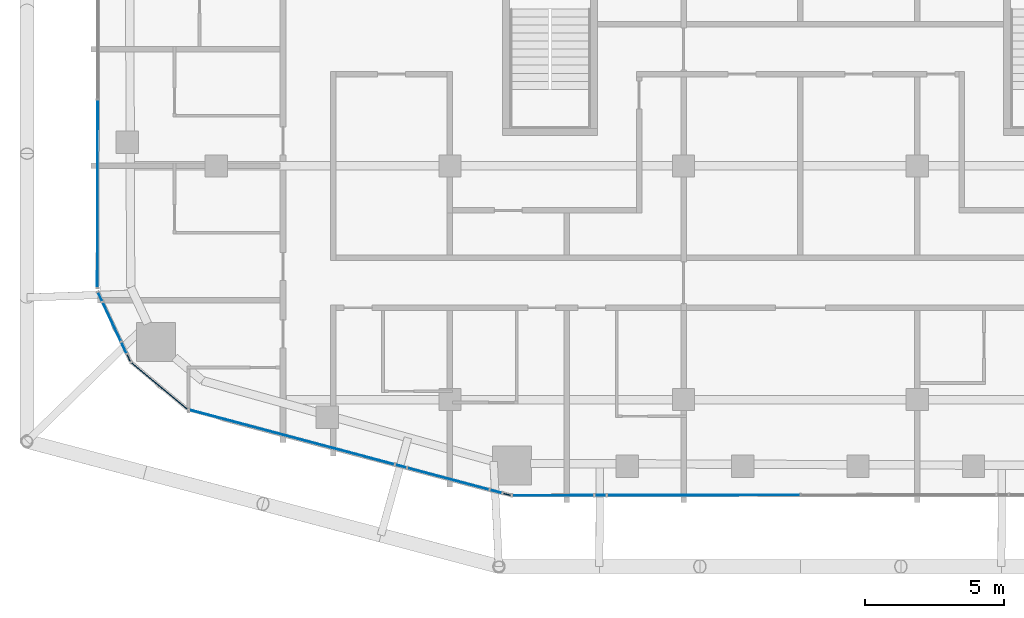
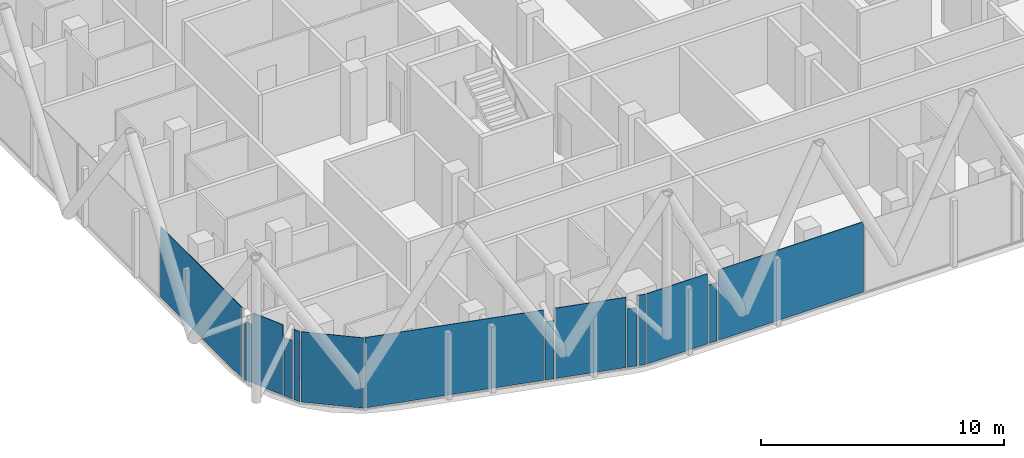
# One storey, part 14 of 31: 14 plates, 14 elements without a shape of their own.
"""IFC4 building model written with IfcOpenShell, lengths in metres."""

from ifc_helpers import new_model, si_unit, direction, frame, origin, origin_2d, place, context, subcontext, project, spatial, rectangle, extrude, material, layer, layer_set, type_object, element, aggregate, save


model = new_model("IFC4")

# Units and contexts
model_context = context("Model", 3, precision=1e-05, world=origin(), true_north=direction((0.0, 1.0)))
body_context = subcontext(model_context, "Body", "Model", "MODEL_VIEW")
ifc_project = project(units=[si_unit("LENGTHUNIT", "METRE"), si_unit("AREAUNIT", "SQUARE_METRE"), si_unit("VOLUMEUNIT", "CUBIC_METRE"), si_unit("PLANEANGLEUNIT", "RADIAN"), si_unit("MASSUNIT", "GRAM", prefix="KILO")], contexts=[model_context])

# Site, building, storey
site_placement = place(None, origin())
site = spatial("IfcSite", under=ifc_project, at=site_placement, CompositionType="ELEMENT")
building_placement = place(site_placement, origin())
building = spatial("IfcBuilding", under=site, at=building_placement, Name="Marenta Gate Hotel Tower", CompositionType="ELEMENT")
storey_placement = place(building_placement, frame((0.0, 0.0, 191.300048828125)))
storey = spatial("IfcBuildingStorey", under=building, at=storey_placement, Name="L43", CompositionType="ELEMENT", Elevation=191.300048828125)

# Curtain wall, plate
ifc_material_1 = material(Name="Tinted insulated glass in bronze anodised frame", Category="glass")
ifc_layer_1 = layer(ifc_material_1, 0.1201171875)
ifc_layer_set_1 = layer_set([ifc_layer_1], Name="Tinted insulated glass in bronze anodised frame")
curtain_wall_type = type_object("IfcCurtainWallType", Name="Tower unitised curtain wall CW1", PredefinedType="NOTDEFINED", material=ifc_layer_set_1)
curtain_wall_1_placement = place(storey_placement, origin())
curtain_wall_1 = element("IfcCurtainWall", 1, at=curtain_wall_1_placement, inside=storey, type_object=curtain_wall_type, Name="CW1 run G08", PredefinedType="NOTDEFINED")
ifc_material_2 = material(Name="Tinted insulated glass", Category="glass")
ifc_layer_2 = layer(ifc_material_2, 0.028076171875)
ifc_layer_set_2 = layer_set([ifc_layer_2], Name="Tinted insulated glass")
plate_type = type_object("IfcPlateType", Name="Glass panel CW1 28 mm tinted insulated unit", PredefinedType="CURTAIN_PANEL", material=ifc_layer_set_2)
plate_1_placement = place(storey_placement, frame((-25.267578125, -17.800537109375, 0.059814453125), z_axis=(0.0, 0.0, 1.0), x_axis=(-0.001564651623, -0.999998775932, 0.0)))
plate_1 = element("IfcPlate", 2, at=plate_1_placement, type_object=plate_type, Name="CW1 panel 3.1", PredefinedType="CURTAIN_PANEL", context=body_context, shape_type="SweptSolid", body=[
    extrude(rectangle(XDim=6.7060546875, YDim=0.028076171875, at=origin_2d()), origin(), (0.0, 0.0, 1.0), 3.5400390625),
])
aggregate(curtain_wall_1, [plate_1])

curtain_wall_2_placement = place(storey_placement, origin())
curtain_wall_2 = element("IfcCurtainWall", 3, at=curtain_wall_2_placement, inside=storey, type_object=curtain_wall_type, Name="CW1 run G09", PredefinedType="NOTDEFINED")
plate_2_placement = place(storey_placement, frame((-25.174560546875, -21.50439453125, 0.06005859375), z_axis=(0.0, 0.0, 1.0), x_axis=(0.423345141478, -0.905968482447, 0.0)))
plate_2 = element("IfcPlate", 4, at=plate_2_placement, type_object=plate_type, Name="CW1 panel 1.1", PredefinedType="CURTAIN_PANEL", context=body_context, shape_type="SweptSolid", body=[
    extrude(rectangle(XDim=0.344970703125, YDim=0.028076171875, at=origin_2d()), origin(), (0.0, 0.0, 1.0), 2.9404296875),
])
aggregate(curtain_wall_2, [plate_2])

curtain_wall_3_placement = place(storey_placement, origin())
curtain_wall_3 = element("IfcCurtainWall", 5, at=curtain_wall_3_placement, inside=storey, type_object=curtain_wall_type, Name="CW1 run G10", PredefinedType="NOTDEFINED")
plate_3_placement = place(storey_placement, frame((-24.75390625, -22.40478515625, 0.059814453125), z_axis=(0.0, 0.0, 1.0), x_axis=(0.423328093078, -0.905976448707, 0.0)))
plate_3 = element("IfcPlate", 6, at=plate_3_placement, type_object=plate_type, Name="CW1 panel 1.1", PredefinedType="CURTAIN_PANEL", context=body_context, shape_type="SweptSolid", body=[
    extrude(rectangle(XDim=1.52294921875, YDim=0.028076171875, at=origin_2d()), origin(), (0.0, 0.0, 1.0), 3.5400390625),
])
aggregate(curtain_wall_3, [plate_3])

curtain_wall_4_placement = place(storey_placement, origin())
curtain_wall_4 = element("IfcCurtainWall", 7, at=curtain_wall_4_placement, inside=storey, type_object=curtain_wall_type, Name="CW1 run G11", PredefinedType="NOTDEFINED")
plate_4_placement = place(storey_placement, frame((-24.317138671875, -23.33935546875, 0.06005859375), z_axis=(0.0, 0.0, 1.0), x_axis=(0.423387289241, -0.905948786251, 0.0)))
plate_4 = element("IfcPlate", 8, at=plate_4_placement, type_object=plate_type, Name="CW1 panel 1.1", PredefinedType="CURTAIN_PANEL", context=body_context, shape_type="SweptSolid", body=[
    extrude(rectangle(XDim=0.419921875, YDim=0.028076171875, at=origin_2d()), origin(), (0.0, 0.0, 1.0), 2.9404296875),
])
aggregate(curtain_wall_4, [plate_4])

curtain_wall_5_placement = place(storey_placement, origin())
curtain_wall_5 = element("IfcCurtainWall", 9, at=curtain_wall_5_placement, inside=storey, type_object=curtain_wall_type, Name="CW1 run G12", PredefinedType="NOTDEFINED")
plate_5_placement = place(storey_placement, frame((-24.142822265625, -23.71240234375, 0.059814453125), z_axis=(0.0, 0.0, 1.0), x_axis=(0.423299800084, -0.905989668401, 0.0)))
plate_5 = element("IfcPlate", 10, at=plate_5_placement, type_object=plate_type, Name="CW1 panel 1.1", PredefinedType="CURTAIN_PANEL", context=body_context, shape_type="SweptSolid", body=[
    extrude(rectangle(XDim=0.283447265625, YDim=0.028076171875, at=origin_2d()), origin(), (0.0, 0.0, 1.0), 3.5400390625),
])
aggregate(curtain_wall_5, [plate_5])

curtain_wall_6_placement = place(storey_placement, origin())
curtain_wall_6 = element("IfcCurtainWall", 11, at=curtain_wall_6_placement, inside=storey, type_object=curtain_wall_type, Name="CW1 run G13", PredefinedType="NOTDEFINED")
plate_6_placement = place(storey_placement, frame((-23.0361328125, -24.716064453125, 0.059814453125), z_axis=(0.0, 0.0, 1.0), x_axis=(0.767102345594, -0.641524739495, 0.0)))
plate_6 = element("IfcPlate", 12, at=plate_6_placement, type_object=plate_type, Name="CW1 panel 1.1", PredefinedType="CURTAIN_PANEL", context=body_context, shape_type="SweptSolid", body=[
    extrude(rectangle(XDim=2.609375, YDim=0.028076171875, at=origin_2d()), origin(), (0.0, 0.0, 1.0), 3.5400390625),
])
aggregate(curtain_wall_6, [plate_6])

curtain_wall_7_placement = place(storey_placement, origin())
curtain_wall_7 = element("IfcCurtainWall", 13, at=curtain_wall_7_placement, inside=storey, type_object=curtain_wall_type, Name="CW1 run G14", PredefinedType="NOTDEFINED")
plate_7_placement = place(storey_placement, frame((-18.292724609375, -26.548828125, 0.059814453125), z_axis=(0.0, 0.0, 1.0), x_axis=(0.966375170847, -0.257136207427, 0.0)))
plate_7 = element("IfcPlate", 14, at=plate_7_placement, type_object=plate_type, Name="CW1 panel 1.1", PredefinedType="CURTAIN_PANEL", context=body_context, shape_type="SweptSolid", body=[
    extrude(rectangle(XDim=7.62548828125, YDim=0.028076171875, at=origin_2d()), origin(), (0.0, 0.0, 1.0), 3.5400390625),
])
aggregate(curtain_wall_7, [plate_7])

curtain_wall_8_placement = place(storey_placement, origin())
curtain_wall_8 = element("IfcCurtainWall", 15, at=curtain_wall_8_placement, inside=storey, type_object=curtain_wall_type, Name="CW1 run G15", PredefinedType="NOTDEFINED")
plate_8_placement = place(storey_placement, frame((-14.3603515625, -27.59521484375, 0.06005859375), z_axis=(0.0, 0.0, 1.0), x_axis=(0.966370359942, -0.257154287199, 0.0)))
plate_8 = element("IfcPlate", 16, at=plate_8_placement, type_object=plate_type, Name="CW1 panel 1.1", PredefinedType="CURTAIN_PANEL", context=body_context, shape_type="SweptSolid", body=[
    extrude(rectangle(XDim=0.39306640625, YDim=0.028076171875, at=origin_2d()), origin(), (0.0, 0.0, 1.0), 2.9404296875),
])
aggregate(curtain_wall_8, [plate_8])

curtain_wall_9_placement = place(storey_placement, origin())
curtain_wall_9 = element("IfcCurtainWall", 17, at=curtain_wall_9_placement, inside=storey, type_object=curtain_wall_type, Name="CW1 run G16", PredefinedType="NOTDEFINED")
plate_9_placement = place(storey_placement, frame((-12.658203125, -28.048095703125, 0.059814453125), z_axis=(0.0, 0.0, 1.0), x_axis=(0.96638022581, -0.257117208999, 0.0)))
plate_9 = element("IfcPlate", 18, at=plate_9_placement, type_object=plate_type, Name="CW1 panel 1.1", PredefinedType="CURTAIN_PANEL", context=body_context, shape_type="SweptSolid", body=[
    extrude(rectangle(XDim=3.009765625, YDim=0.028076171875, at=origin_2d()), origin(), (0.0, 0.0, 1.0), 3.5400390625),
])
aggregate(curtain_wall_9, [plate_9])

curtain_wall_10_placement = place(storey_placement, origin())
curtain_wall_10 = element("IfcCurtainWall", 19, at=curtain_wall_10_placement, inside=storey, type_object=curtain_wall_type, Name="CW1 run G17", PredefinedType="NOTDEFINED")
plate_10_placement = place(storey_placement, frame((-10.945068359375, -28.50390625, 0.06005859375), z_axis=(0.0, 0.0, 1.0), x_axis=(0.966384808868, -0.257099982864, 0.0)))
plate_10 = element("IfcPlate", 20, at=plate_10_placement, type_object=plate_type, Name="CW1 panel 1.1", PredefinedType="CURTAIN_PANEL", context=body_context, shape_type="SweptSolid", body=[
    extrude(rectangle(XDim=0.415771484375, YDim=0.028076171875, at=origin_2d()), origin(), (0.0, 0.0, 1.0), 2.9404296875),
])
aggregate(curtain_wall_10, [plate_10])

curtain_wall_11_placement = place(storey_placement, origin())
curtain_wall_11 = element("IfcCurtainWall", 21, at=curtain_wall_11_placement, inside=storey, type_object=curtain_wall_type, Name="CW1 run G18", PredefinedType="NOTDEFINED")
plate_11_placement = place(storey_placement, frame((-10.546142578125, -28.610107421875, 0.059814453125), z_axis=(0.0, 0.0, 1.0), x_axis=(0.966296560535, -0.257431460974, 0.0)))
plate_11 = element("IfcPlate", 22, at=plate_11_placement, type_object=plate_type, Name="CW1 panel 1.1", PredefinedType="CURTAIN_PANEL", context=body_context, shape_type="SweptSolid", body=[
    extrude(rectangle(XDim=0.2900390625, YDim=0.028076171875, at=origin_2d()), origin(), (0.0, 0.0, 1.0), 3.5400390625),
])
aggregate(curtain_wall_11, [plate_11])

curtain_wall_12_placement = place(storey_placement, origin())
curtain_wall_12 = element("IfcCurtainWall", 23, at=curtain_wall_12_placement, inside=storey, type_object=curtain_wall_type, Name="CW1 run G19", PredefinedType="NOTDEFINED")
plate_12_placement = place(storey_placement, frame((-8.894287109375, -28.64501953125, 0.059814453125), z_axis=(0.0, 0.0, 1.0), x_axis=(0.999998632869, 0.001653559645, 0.0)))
plate_12 = element("IfcPlate", 24, at=plate_12_placement, type_object=plate_type, Name="CW1 panel 1.1", PredefinedType="CURTAIN_PANEL", context=body_context, shape_type="SweptSolid", body=[
    extrude(rectangle(XDim=2.9033203125, YDim=0.028076171875, at=origin_2d()), origin(), (0.0, 0.0, 1.0), 3.5400390625),
])
aggregate(curtain_wall_12, [plate_12])

curtain_wall_13_placement = place(storey_placement, origin())
curtain_wall_13 = element("IfcCurtainWall", 25, at=curtain_wall_13_placement, inside=storey, type_object=curtain_wall_type, Name="CW1 run G20", PredefinedType="NOTDEFINED")
plate_13_placement = place(storey_placement, frame((-7.186279296875, -28.64208984375, 0.06005859375), z_axis=(0.0, 0.0, 1.0), x_axis=(0.999998440618, 0.001766001654, 0.0)))
plate_13 = element("IfcPlate", 26, at=plate_13_placement, type_object=plate_type, Name="CW1 panel 1.1", PredefinedType="CURTAIN_PANEL", context=body_context, shape_type="SweptSolid", body=[
    extrude(rectangle(XDim=0.39306640625, YDim=0.028076171875, at=origin_2d()), origin(), (0.0, 0.0, 1.0), 2.9404296875),
])
aggregate(curtain_wall_13, [plate_13])

curtain_wall_14_placement = place(storey_placement, origin())
curtain_wall_14 = element("IfcCurtainWall", 27, at=curtain_wall_14_placement, inside=storey, type_object=curtain_wall_type, Name="CW1 run G21", PredefinedType="NOTDEFINED")
plate_14_placement = place(storey_placement, frame((-3.474853515625, -28.635986328125, 0.059814453125), z_axis=(0.0, 0.0, 1.0), x_axis=(0.99999866205, 0.001635817263, 0.0)))
plate_14 = element("IfcPlate", 28, at=plate_14_placement, type_object=plate_type, Name="CW1 panel 1.1", PredefinedType="CURTAIN_PANEL", context=body_context, shape_type="SweptSolid", body=[
    extrude(rectangle(XDim=6.90966796875, YDim=0.028076171875, at=origin_2d()), origin(), (0.0, 0.0, 1.0), 3.5400390625),
])
aggregate(curtain_wall_14, [plate_14])

save(model, "model.ifc")
